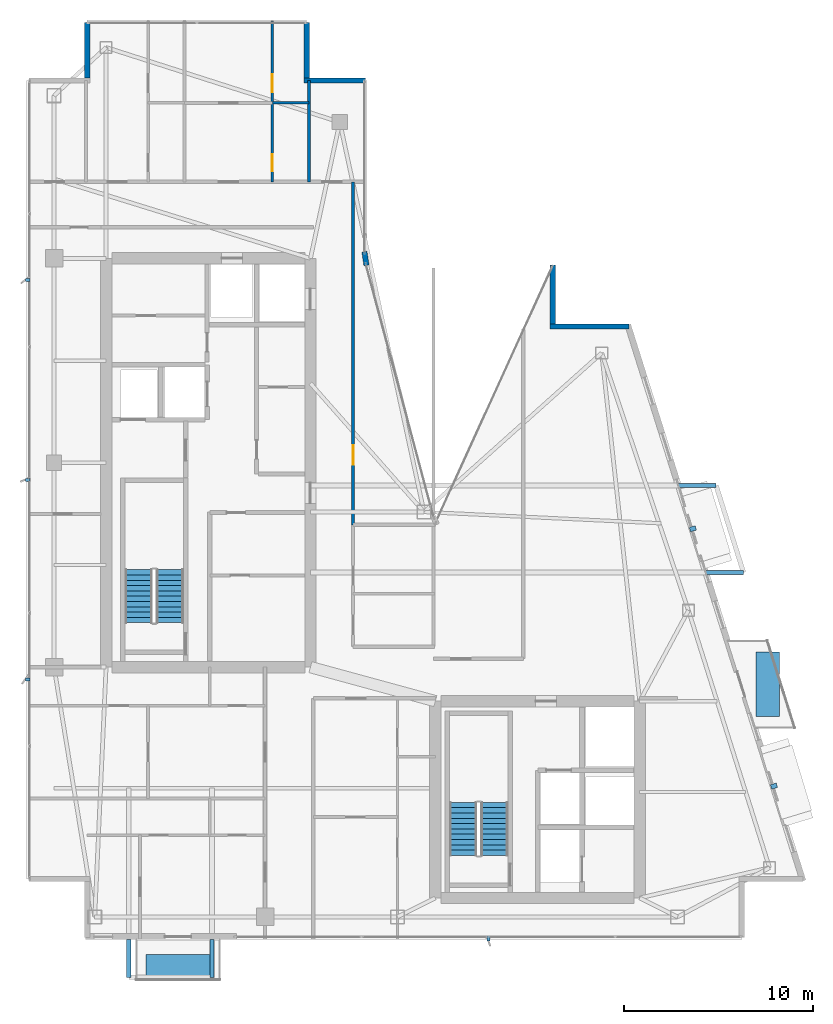
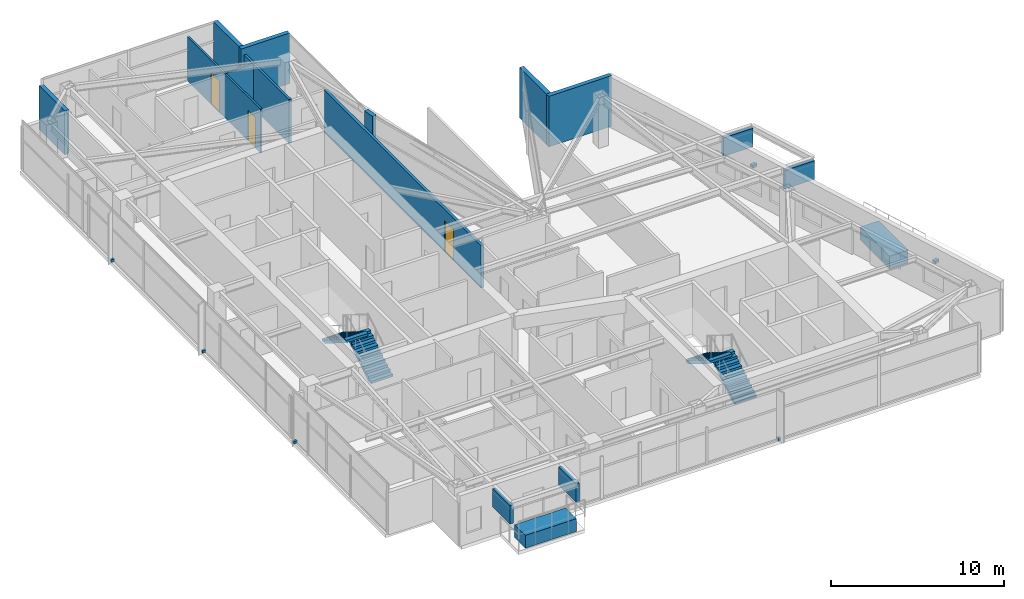
# One storey, part 25 of 27: 12 discrete accessories, 10 walls, 4 stair flights, 3 doors, 3 openings, 2 elements without a shape of their own.
"""IFC4 building model written with IfcOpenShell, lengths in metres."""

from ifc_helpers import new_model, si_unit, direction, frame, frame_2d, origin, origin_2d, place, context, subcontext, project, spatial, polyline, rectangle, outline, extrude, material, layer, layer_set, type_object, element, fill, aggregate, save


model = new_model("IFC4")

# Units and contexts
model_context = context("Model", 3, precision=1e-05, world=origin(), true_north=direction((0.0, 1.0)))
body_context = subcontext(model_context, "Body", "Model", "MODEL_VIEW")
ifc_project = project(units=[si_unit("LENGTHUNIT", "METRE"), si_unit("AREAUNIT", "SQUARE_METRE"), si_unit("VOLUMEUNIT", "CUBIC_METRE"), si_unit("PLANEANGLEUNIT", "RADIAN"), si_unit("MASSUNIT", "GRAM", prefix="KILO")], contexts=[model_context])

# Site, building, storey
site_placement = place(None, origin())
site = spatial("IfcSite", under=ifc_project, at=site_placement, CompositionType="ELEMENT")
building_placement = place(site_placement, origin())
building = spatial("IfcBuilding", under=site, at=building_placement, Name="Calvorn Quay Hotel", CompositionType="ELEMENT")
storey_placement = place(building_placement, frame((0.0, 0.0, 298.699951171875)))
storey = spatial("IfcBuildingStorey", under=building, at=storey_placement, Name="L74", CompositionType="ELEMENT", Elevation=298.699951171875)

# Wall, opening, door
ifc_material_1 = material(Name="Acoustic Fireboard Steel-Stud Partition", Category="steel")
ifc_layer_1 = layer(ifc_material_1, 0.179931640625)
ifc_layer_set_1 = layer_set([ifc_layer_1], Name="WL-CORR-FIRE-180")
wall_type_1 = type_object("IfcWallType", Name="WL-CORR-FIRE-180", PredefinedType="PARTITIONING", material=ifc_layer_set_1)
wall_1_placement = place(storey_placement, frame((17.25, 24.300048828125, 0.0), z_axis=(0.0, 0.0, 1.0), x_axis=(0.0, 1.0, 0.0)))
wall_1 = element("IfcWall", 1, at=wall_1_placement, inside=storey, type_object=wall_type_1, Name="Partition Wall L74-WL-NW-CLOSURE-E", PredefinedType="PARTITIONING", context=body_context, shape_type="SweptSolid", body=[
    extrude(rectangle(XDim=18.14990234375, YDim=0.179931640625, at=frame_2d((9.074951171875, 0.0))), origin(), (0.0, 0.0, 1.0), 2.989990234375),
])
opening_1_placement = place(wall_1_placement, frame((3.199951171875, 0.0, 0.0)))
opening_1 = element("IfcOpeningElement", 2, at=opening_1_placement, cuts=wall_1, Name="Opening D-L74-NCU", PredefinedType="OPENING", context=body_context, shape_type="SweptSolid", body=[
    extrude(rectangle(XDim=1.02001953125, YDim=2.199951171875, at=frame_2d((0.510009765625, 1.10009765625))), frame((0.0, 0.099853515625, 0.0), z_axis=(0.0, -1.0, 0.0), x_axis=(1.0, 0.0, 0.0)), (0.0, 0.0, 1.0), 0.199951171875),
])
ifc_material_2 = material(Name="Solid-Core Walnut Veneer Hotel Fire Door")
door_type_1 = type_object("IfcDoorType", Name="DR-GUEST-ENTRY-1020", OperationType="NOTDEFINED", PredefinedType="DOOR", material=ifc_material_2)
door_1_placement = place(opening_1_placement, origin())
door_1 = element("IfcDoor", 3, at=door_1_placement, inside=storey, type_object=door_type_1, Name="Inner Court Horizon Study Door (L74)", OperationType="SINGLE_SWING_RIGHT", OverallHeight=2.199951171875, OverallWidth=1.02001953125, PredefinedType="DOOR", context=body_context, shape_type="SweptSolid", body=[
    extrude(rectangle(XDim=1.02001953125, YDim=2.199951171875, at=frame_2d((0.510009765625, 1.10009765625))), frame((0.0, 0.02490234375, 0.0), z_axis=(0.0, -1.0, 0.0), x_axis=(1.0, 0.0, 0.0)), (0.0, 0.0, 1.0), 0.050048828125),
])
fill(opening_1, door_1)

# Wall
ifc_material_3 = material(Name="Moisture-Resistant Tile-Backed Partition")
ifc_layer_2 = layer(ifc_material_3, 0.125)
ifc_layer_set_2 = layer_set([ifc_layer_2], Name="WL-ENSUITE-125")
wall_type_2 = type_object("IfcWallType", Name="WL-ENSUITE-125", PredefinedType="PARTITIONING", material=ifc_layer_set_2)
wall_2_placement = place(storey_placement, frame((12.989990234375, 46.6201171875, 0.0), z_axis=(0.0, 0.0, 1.0), x_axis=(1.0, 0.0, 0.0)))
element("IfcWall", 4, at=wall_2_placement, inside=storey, type_object=wall_type_2, Name="Partition Wall L74-WL-U05-BDV", PredefinedType="PARTITIONING", context=body_context, shape_type="SweptSolid", body=[
    extrude(rectangle(XDim=1.929931640625, YDim=0.125, at=frame_2d((0.96484375, 0.0))), origin(), (0.0, 0.0, 1.0), 3.090087890625),
])

# Wall, openings, doors
wall_3_placement = place(storey_placement, frame((12.989990234375, 42.449951171875, 0.0), z_axis=(0.0, 0.0, 1.0), x_axis=(0.0, 1.0, 0.0)))
wall_3 = element("IfcWall", 5, at=wall_3_placement, inside=storey, type_object=wall_type_2, Name="Partition Wall L74-WL-U05-BV", PredefinedType="PARTITIONING", context=body_context, shape_type="SweptSolid", body=[
    extrude(rectangle(XDim=8.489990234375, YDim=0.125, at=frame_2d((4.2451171875, 0.0))), origin(), (0.0, 0.0, 1.0), 3.090087890625),
])
opening_2_placement = place(wall_3_placement, frame((0.550048828125, 0.0, 0.0)))
opening_2 = element("IfcOpeningElement", 6, at=opening_2_placement, cuts=wall_3, Name="Opening D-L74-E05", PredefinedType="OPENING", context=body_context, shape_type="SweptSolid", body=[
    extrude(rectangle(XDim=0.89990234375, YDim=2.14990234375, at=frame_2d((0.449951171875, 1.074951171875))), frame((0.0, 0.072509765625, 0.0), z_axis=(0.0, -1.0, 0.0), x_axis=(1.0, 0.0, 0.0)), (0.0, 0.0, 1.0), 0.14501953125),
])
opening_3_placement = place(wall_3_placement, frame((4.719970703125, 0.0, 0.0)))
opening_3 = element("IfcOpeningElement", 7, at=opening_3_placement, cuts=wall_3, Name="Opening D-L74-S05", PredefinedType="OPENING", context=body_context, shape_type="SweptSolid", body=[
    extrude(rectangle(XDim=0.9599609375, YDim=2.199951171875, at=frame_2d((0.47998046875, 1.10009765625))), frame((0.0, 0.072509765625, 0.0), z_axis=(0.0, -1.0, 0.0), x_axis=(1.0, 0.0, 0.0)), (0.0, 0.0, 1.0), 0.14501953125),
])
ifc_material_4 = material(Name="Moisture-Sealed Timber En-Suite Door", Category="wood")
door_type_2 = type_object("IfcDoorType", Name="DR-ENSUITE-900", OperationType="NOTDEFINED", PredefinedType="DOOR", material=ifc_material_4)
door_2_placement = place(opening_2_placement, origin())
door_2 = element("IfcDoor", 8, at=door_2_placement, inside=storey, type_object=door_type_2, Name="En-Suite Door 05", OperationType="SINGLE_SWING_LEFT", OverallHeight=2.14990234375, OverallWidth=0.89990234375, PredefinedType="DOOR", context=body_context, shape_type="SweptSolid", body=[
    extrude(rectangle(XDim=0.89990234375, YDim=2.14990234375, at=frame_2d((0.449951171875, 1.074951171875))), frame((0.0, 0.02490234375, 0.0), z_axis=(0.0, -1.0, 0.0), x_axis=(1.0, 0.0, 0.0)), (0.0, 0.0, 1.0), 0.050048828125),
])
fill(opening_2, door_2)
ifc_material_5 = material(Name="Solid Timber Internal Suite Door", Category="wood")
door_type_3 = type_object("IfcDoorType", Name="DR-SUITE-INT-960", OperationType="NOTDEFINED", PredefinedType="DOOR", material=ifc_material_5)
door_3_placement = place(opening_3_placement, origin())
door_3 = element("IfcDoor", 9, at=door_3_placement, inside=storey, type_object=door_type_3, Name="Executive Work Office Door 05", OperationType="SINGLE_SWING_RIGHT", OverallHeight=2.199951171875, OverallWidth=0.9599609375, PredefinedType="DOOR", context=body_context, shape_type="SweptSolid", body=[
    extrude(rectangle(XDim=0.9599609375, YDim=2.199951171875, at=frame_2d((0.47998046875, 1.10009765625))), frame((0.0, 0.02490234375, 0.0), z_axis=(0.0, -1.0, 0.0), x_axis=(1.0, 0.0, 0.0)), (0.0, 0.0, 1.0), 0.050048828125),
])
fill(opening_3, door_3)

# Walls
ifc_material_6 = material(Name="Concrete C40", Category="concrete")
ifc_layer_3 = layer(ifc_material_6, 0.320068359375)
ifc_layer_set_3 = layer_set([ifc_layer_3], Name="WL-EXT-SPANDREL-320")
wall_type_3 = type_object("IfcWallType", Name="WL-EXT-SPANDREL-320", PredefinedType="SOLIDWALL", material=ifc_layer_set_3)
wall_4_placement = place(storey_placement, frame((17.9619140625, 38.030029296875, 0.0), z_axis=(0.0, 0.0, 1.0), x_axis=(-0.15141125477, 0.988470855377, 0.0)))
element("IfcWall", 10, at=wall_4_placement, inside=storey, type_object=wall_type_3, Name="Inner Court Corner Pier L74-ICJ2", PredefinedType="SOLIDWALL", context=body_context, shape_type="SweptSolid", body=[
    extrude(rectangle(XDim=0.738525390625, YDim=0.280029296875, at=frame_2d((0.369140625, 0.0))), origin(), (0.0, 0.0, 1.0), 3.56005859375),
])
wall_5_placement = place(storey_placement, frame((31.840087890625, 34.800048828125, 0.0), z_axis=(0.0, 0.0, 1.0), x_axis=(-1.0, 0.0, 0.0)))
element("IfcWall", 11, at=wall_5_placement, inside=storey, type_object=wall_type_3, Name="Notched Corner Spandrel L74-NE1", PredefinedType="SOLIDWALL", context=body_context, shape_type="SweptSolid", body=[
    extrude(rectangle(XDim=4.18017578125, YDim=0.280029296875, at=frame_2d((2.090087890625, 0.0))), origin(), (0.0, 0.0, 1.0), 3.56005859375),
])
wall_6_placement = place(storey_placement, frame((27.800048828125, 34.93994140625, 0.0), z_axis=(0.0, 0.0, 1.0), x_axis=(0.0, 1.0, 0.0)))
element("IfcWall", 12, at=wall_6_placement, inside=storey, type_object=wall_type_3, Name="Notched Corner Spandrel L74-NE2", PredefinedType="SOLIDWALL", context=body_context, shape_type="SweptSolid", body=[
    extrude(rectangle(XDim=3.10009765625, YDim=0.280029296875, at=frame_2d((1.550048828125, 0.0))), origin(), (0.0, 0.0, 1.0), 3.56005859375),
])
wall_7_placement = place(storey_placement, frame((17.89990234375, 47.800048828125, 0.0), z_axis=(0.0, 0.0, 1.0), x_axis=(-1.0, 0.0, 0.0)))
element("IfcWall", 13, at=wall_7_placement, inside=storey, type_object=wall_type_3, Name="Notched Corner Spandrel L74-NWE1", PredefinedType="SOLIDWALL", context=body_context, shape_type="SweptSolid", body=[
    extrude(rectangle(XDim=3.239990234375, YDim=0.280029296875, at=frame_2d((1.6201171875, 0.0))), origin(), (0.0, 0.0, 1.0), 3.56005859375),
])
wall_8_placement = place(storey_placement, frame((14.800048828125, 47.93994140625, 0.0), z_axis=(0.0, 0.0, 1.0), x_axis=(0.0, 1.0, 0.0)))
element("IfcWall", 14, at=wall_8_placement, inside=storey, type_object=wall_type_3, Name="Notched Corner Spandrel L74-NWE2", PredefinedType="SOLIDWALL", context=body_context, shape_type="SweptSolid", body=[
    extrude(rectangle(XDim=2.93994140625, YDim=0.280029296875, at=frame_2d((1.469970703125, 0.0))), origin(), (0.0, 0.0, 1.0), 3.56005859375),
])
wall_9_placement = place(storey_placement, frame((3.199951171875, 50.8798828125, 0.0), z_axis=(0.0, 0.0, 1.0), x_axis=(0.0, -1.0, 0.0)))
element("IfcWall", 15, at=wall_9_placement, inside=storey, type_object=wall_type_3, Name="Notched Corner Spandrel L74-NW1", PredefinedType="SOLIDWALL", context=body_context, shape_type="SweptSolid", body=[
    extrude(rectangle(XDim=2.93994140625, YDim=0.280029296875, at=frame_2d((1.469970703125, 0.0))), origin(), (0.0, 0.0, 1.0), 3.090087890625),
])
ifc_material_7 = material(Name="Double-Stud Acoustic Gypsum Partition")
ifc_layer_4 = layer(ifc_material_7, 0.159912109375)
ifc_layer_set_4 = layer_set([ifc_layer_4], Name="WL-INTERSUITE-160")
wall_type_4 = type_object("IfcWallType", Name="WL-INTERSUITE-160", PredefinedType="PARTITIONING", material=ifc_layer_set_4)
wall_10_placement = place(storey_placement, frame((14.919921875, 42.449951171875, 0.0), z_axis=(0.0, 0.0, 1.0), x_axis=(0.0, 1.0, 0.0)))
element("IfcWall", 16, at=wall_10_placement, inside=storey, type_object=wall_type_4, Name="Partition Wall L74-WL-NW-DIV-E0", PredefinedType="PARTITIONING", context=body_context, shape_type="SweptSolid", body=[
    extrude(rectangle(XDim=5.35009765625, YDim=0.159912109375, at=frame_2d((2.675048828125, 0.0))), origin(), (0.0, 0.0, 1.0), 3.090087890625),
])

# Stair, stair flights
ifc_material_8 = material(Name="Concrete C40", Category="concrete")
stair_type = type_object("IfcStairType", Name="STR-CORE-DOGLEG", PredefinedType="HALF_TURN_STAIR", material=ifc_material_8)
stair_1_placement = place(storey_placement, origin())
stair_1 = element("IfcStair", 17, at=stair_1_placement, inside=storey, type_object=stair_type, Name="L74 ST-W", PredefinedType="HALF_TURN_STAIR")
ifc_material_9 = material(Name="Concrete C40", Category="concrete")
stair_flight_type = type_object("IfcStairFlightType", Name="FLT-CORE-1550", PredefinedType="STRAIGHT", material=ifc_material_9)
stair_flight_1_placement = place(storey_placement, frame((7.574951171875, 19.14990234375, 0.0), z_axis=(0.0, 0.0, 1.0), x_axis=(0.0, 1.0, 0.0)))
stair_flight_1 = element("IfcStairFlight", 18, at=stair_flight_1_placement, type_object=stair_flight_type, Name="ST-W flight 1", NumberOfRisers=11, NumberOfTreads=10, PredefinedType="STRAIGHT", RiserHeight=0.172727273, TreadLength=0.28, context=body_context, shape_type="SweptSolid", body=[
    extrude(outline(polyline([(0.0, 0.0), (0.0, 0.172607421875), (0.280029296875, 0.172607421875), (0.280029296875, 0.345458984375), (0.56005859375, 0.345458984375), (0.56005859375, 0.51806640625), (0.840087890625, 0.51806640625), (0.840087890625, 0.69091796875), (1.1201171875, 0.69091796875), (1.1201171875, 0.863525390625), (1.39990234375, 0.863525390625), (1.39990234375, 1.036376953125), (1.679931640625, 1.036376953125), (1.679931640625, 1.208984375), (1.9599609375, 1.208984375), (1.9599609375, 1.3818359375), (2.239990234375, 1.3818359375), (2.239990234375, 1.554443359375), (2.52001953125, 1.554443359375), (2.52001953125, 1.727294921875), (2.800048828125, 1.727294921875), (2.800048828125, 1.89990234375), (2.800048828125, 1.551025390625), (0.285400390625, 0.0), (0.0, 0.0)])), frame((0.0, 0.72509765625, 0.0), z_axis=(0.0, -1.0, 0.0), x_axis=(1.0, 0.0, 0.0)), (0.0, 0.0, 1.0), 1.449951171875),
])
stair_flight_2_placement = place(storey_placement, frame((5.925048828125, 21.949951171875, 1.900146484375), z_axis=(0.0, 0.0, 1.0), x_axis=(0.0, -1.0, 0.0)))
stair_flight_2 = element("IfcStairFlight", 19, at=stair_flight_2_placement, type_object=stair_flight_type, Name="ST-W flight 2", NumberOfRisers=11, NumberOfTreads=10, PredefinedType="STRAIGHT", RiserHeight=0.172727273, TreadLength=0.28, context=body_context, shape_type="SweptSolid", body=[
    extrude(outline(polyline([(0.0, 0.0), (0.0, 0.172607421875), (0.280029296875, 0.172607421875), (0.280029296875, 0.345458984375), (0.56005859375, 0.345458984375), (0.56005859375, 0.51806640625), (0.840087890625, 0.51806640625), (0.840087890625, 0.69091796875), (1.1201171875, 0.69091796875), (1.1201171875, 0.863525390625), (1.39990234375, 0.863525390625), (1.39990234375, 1.036376953125), (1.679931640625, 1.036376953125), (1.679931640625, 1.208984375), (1.9599609375, 1.208984375), (1.9599609375, 1.3818359375), (2.239990234375, 1.3818359375), (2.239990234375, 1.554443359375), (2.52001953125, 1.554443359375), (2.52001953125, 1.727294921875), (2.800048828125, 1.727294921875), (2.800048828125, 1.89990234375), (2.800048828125, 1.551025390625), (0.285400390625, 0.0), (0.0, 0.0)])), frame((0.0, 0.72509765625, 0.0), z_axis=(0.0, -1.0, 0.0), x_axis=(1.0, 0.0, 0.0)), (0.0, 0.0, 1.0), 1.449951171875),
])
aggregate(stair_1, [stair_flight_1, stair_flight_2])

stair_2_placement = place(storey_placement, origin())
stair_2 = element("IfcStair", 20, at=stair_2_placement, inside=storey, type_object=stair_type, Name="L74 ST-E", PredefinedType="HALF_TURN_STAIR")
stair_flight_3_placement = place(storey_placement, frame((24.72509765625, 6.85009765625, 0.0), z_axis=(0.0, 0.0, 1.0), x_axis=(0.0, 1.0, 0.0)))
stair_flight_3 = element("IfcStairFlight", 21, at=stair_flight_3_placement, type_object=stair_flight_type, Name="ST-E flight 1", NumberOfRisers=11, NumberOfTreads=10, PredefinedType="STRAIGHT", RiserHeight=0.172727273, TreadLength=0.28, context=body_context, shape_type="SweptSolid", body=[
    extrude(outline(polyline([(0.0, 0.0), (0.0, 0.172607421875), (0.280029296875, 0.172607421875), (0.280029296875, 0.345458984375), (0.56005859375, 0.345458984375), (0.56005859375, 0.51806640625), (0.840087890625, 0.51806640625), (0.840087890625, 0.69091796875), (1.1201171875, 0.69091796875), (1.1201171875, 0.863525390625), (1.39990234375, 0.863525390625), (1.39990234375, 1.036376953125), (1.679931640625, 1.036376953125), (1.679931640625, 1.208984375), (1.9599609375, 1.208984375), (1.9599609375, 1.3818359375), (2.239990234375, 1.3818359375), (2.239990234375, 1.554443359375), (2.52001953125, 1.554443359375), (2.52001953125, 1.727294921875), (2.800048828125, 1.727294921875), (2.800048828125, 1.89990234375), (2.800048828125, 1.551025390625), (0.285400390625, 0.0), (0.0, 0.0)])), frame((0.0, 0.72509765625, 0.0), z_axis=(0.0, -1.0, 0.0), x_axis=(1.0, 0.0, 0.0)), (0.0, 0.0, 1.0), 1.449951171875),
])
stair_flight_4_placement = place(storey_placement, frame((23.074951171875, 9.64990234375, 1.900146484375), z_axis=(0.0, 0.0, 1.0), x_axis=(0.0, -1.0, 0.0)))
stair_flight_4 = element("IfcStairFlight", 22, at=stair_flight_4_placement, type_object=stair_flight_type, Name="ST-E flight 2", NumberOfRisers=11, NumberOfTreads=10, PredefinedType="STRAIGHT", RiserHeight=0.172727273, TreadLength=0.28, context=body_context, shape_type="SweptSolid", body=[
    extrude(outline(polyline([(0.0, 0.0), (0.0, 0.172607421875), (0.280029296875, 0.172607421875), (0.280029296875, 0.345458984375), (0.56005859375, 0.345458984375), (0.56005859375, 0.51806640625), (0.840087890625, 0.51806640625), (0.840087890625, 0.69091796875), (1.1201171875, 0.69091796875), (1.1201171875, 0.863525390625), (1.39990234375, 0.863525390625), (1.39990234375, 1.036376953125), (1.679931640625, 1.036376953125), (1.679931640625, 1.208984375), (1.9599609375, 1.208984375), (1.9599609375, 1.3818359375), (2.239990234375, 1.3818359375), (2.239990234375, 1.554443359375), (2.52001953125, 1.554443359375), (2.52001953125, 1.727294921875), (2.800048828125, 1.727294921875), (2.800048828125, 1.89990234375), (2.800048828125, 1.551025390625), (0.285400390625, 0.0), (0.0, 0.0)])), frame((0.0, 0.72509765625, 0.0), z_axis=(0.0, -1.0, 0.0), x_axis=(1.0, 0.0, 0.0)), (0.0, 0.0, 1.0), 1.449951171875),
])
aggregate(stair_2, [stair_flight_3, stair_flight_4])

# Discrete accessories
ifc_material_10 = material(Name="Steel Q355B", Category="steel")
discrete_accessory_type_1 = type_object("IfcDiscreteAccessoryType", Name="ACC-BALC-STRUT", PredefinedType="BRACKET", material=ifc_material_10)
for number, where, z_axis, x_axis, name in (
    (23, (36.89111328125, 21.800048828125, 2.01513671875), (0.0, 0.0, 1.0), (1.0, 0.0, 0.0), "Exterior Balcony Steel Bracket L75-BALC-E-A"),
    (24, (35.44189453125, 26.39990234375, 2.01513671875), (0.0, 0.0, 1.0), (1.0, 0.0, 0.0), "Exterior Balcony Steel Bracket L75-BALC-E-B"),
):
    element("IfcDiscreteAccessory", number, at=place(storey_placement, frame(where, z_axis=z_axis, x_axis=x_axis)), inside=storey, type_object=discrete_accessory_type_1, Name=name, PredefinedType="BRACKET", context=body_context, shape_type="SweptSolid", body=[
        extrude(rectangle(XDim=1.989990234375, YDim=0.219970703125, at=origin_2d()), origin(), (0.0, 0.0, 1.0), 1.300048828125),
    ])
for number, where, z_axis, x_axis, name in (
    (25, (5.39990234375, 1.405029296875, 2.01513671875), (0.0, 0.0, 1.0), (1.0, 0.0, 0.0), "Exterior Balcony Steel Bracket L75-BALC-S-A"),
    (26, (9.800048828125, 1.405029296875, 2.01513671875), (0.0, 0.0, 1.0), (1.0, 0.0, 0.0), "Exterior Balcony Steel Bracket L75-BALC-S-B"),
):
    element("IfcDiscreteAccessory", number, at=place(storey_placement, frame(where, z_axis=z_axis, x_axis=x_axis)), inside=storey, type_object=discrete_accessory_type_1, Name=name, PredefinedType="BRACKET", context=body_context, shape_type="SweptSolid", body=[
        extrude(rectangle(XDim=0.219970703125, YDim=1.989990234375, at=origin_2d()), origin(), (0.0, 0.0, 1.0), 1.300048828125),
    ])
ifc_material_11 = material(Name="Steel Q355B", Category="steel")
discrete_accessory_type_2 = type_object("IfcDiscreteAccessoryType", Name="ACC-FIN-BRACKET", PredefinedType="BRACKET", material=ifc_material_11)
for number, where, z_axis, x_axis, name in (
    (27, (0.06005859375, 16.14990234375, 0.0302734375), (0.0, 0.0, 1.0), (1.0, 0.0, 0.0), "Fin Anchor Bracket L74-W01"),
    (28, (0.06005859375, 26.699951171875, 0.0302734375), (0.0, 0.0, 1.0), (1.0, 0.0, 0.0), "Fin Anchor Bracket L74-W02"),
    (29, (0.06005859375, 37.25, 0.0302734375), (0.0, 0.0, 1.0), (1.0, 0.0, 0.0), "Fin Anchor Bracket L74-W03"),
    (30, (24.39990234375, 2.4599609375, 0.0302734375), (0.0, 0.0, 1.0), (0.0, 1.0, 0.0), "Fin Anchor Bracket L74-S01"),
):
    element("IfcDiscreteAccessory", number, at=place(storey_placement, frame(where, z_axis=z_axis, x_axis=x_axis)), inside=storey, type_object=discrete_accessory_type_2, Name=name, PredefinedType="BRACKET", context=body_context, shape_type="SweptSolid", body=[
        extrude(rectangle(XDim=0.239990234375, YDim=0.159912109375, at=origin_2d()), origin(), (0.0, 0.0, 1.0), 0.179931640625),
    ])
for number, where, z_axis, x_axis, name in (
    (31, (39.4951171875, 10.511962890625, 2.3701171875), (0.0, 0.0, 1.0), (0.957319497532, 0.289031796944, 0.0), "Bay Hood Support Bracket L74-HOOD-1"),
    (32, (35.2099609375, 24.112060546875, 2.3701171875), (0.0, 0.0, 1.0), (0.957319497532, 0.289031796944, 0.0), "Bay Hood Support Bracket L74-HOOD-3"),
):
    element("IfcDiscreteAccessory", number, at=place(storey_placement, frame(where, z_axis=z_axis, x_axis=x_axis)), inside=storey, type_object=discrete_accessory_type_2, Name=name, PredefinedType="BRACKET", context=body_context, shape_type="SweptSolid", body=[
        extrude(rectangle(XDim=0.320068359375, YDim=0.239990234375, at=origin_2d()), origin(), (0.0, 0.0, 1.0), 0.199951171875),
    ])
ifc_material_12 = material(Name="Precast concrete C40", Category="concrete")
discrete_accessory_type_3 = type_object("IfcDiscreteAccessoryType", Name="ACC-TREE-PLANTER", PredefinedType="USERDEFINED", material=ifc_material_12)
discrete_accessory_1_placement = place(storey_placement, frame((39.1640625, 15.89990234375, 0.0), z_axis=(0.0, 0.0, 1.0), x_axis=(1.0, 0.0, 0.0)))
element("IfcDiscreteAccessory", 33, at=discrete_accessory_1_placement, inside=storey, type_object=discrete_accessory_type_3, Name="Subtropical Tree Structural Planter L74-BALC-E", ObjectType="PLANTER", PredefinedType="USERDEFINED", context=body_context, shape_type="SweptSolid", body=[
    extrude(rectangle(XDim=1.25, YDim=3.39990234375, at=origin_2d()), origin(), (0.0, 0.0, 1.0), 0.89990234375),
])
discrete_accessory_2_placement = place(storey_placement, frame((8.0, 0.989990234375, 0.0), z_axis=(0.0, 0.0, 1.0), x_axis=(1.0, 0.0, 0.0)))
element("IfcDiscreteAccessory", 34, at=discrete_accessory_2_placement, inside=storey, type_object=discrete_accessory_type_3, Name="Subtropical Tree Structural Planter L74-BALC-S", ObjectType="PLANTER", PredefinedType="USERDEFINED", context=body_context, shape_type="SweptSolid", body=[
    extrude(rectangle(XDim=3.39990234375, YDim=1.25, at=origin_2d()), origin(), (0.0, 0.0, 1.0), 0.89990234375),
])

save(model, "model.ifc")
